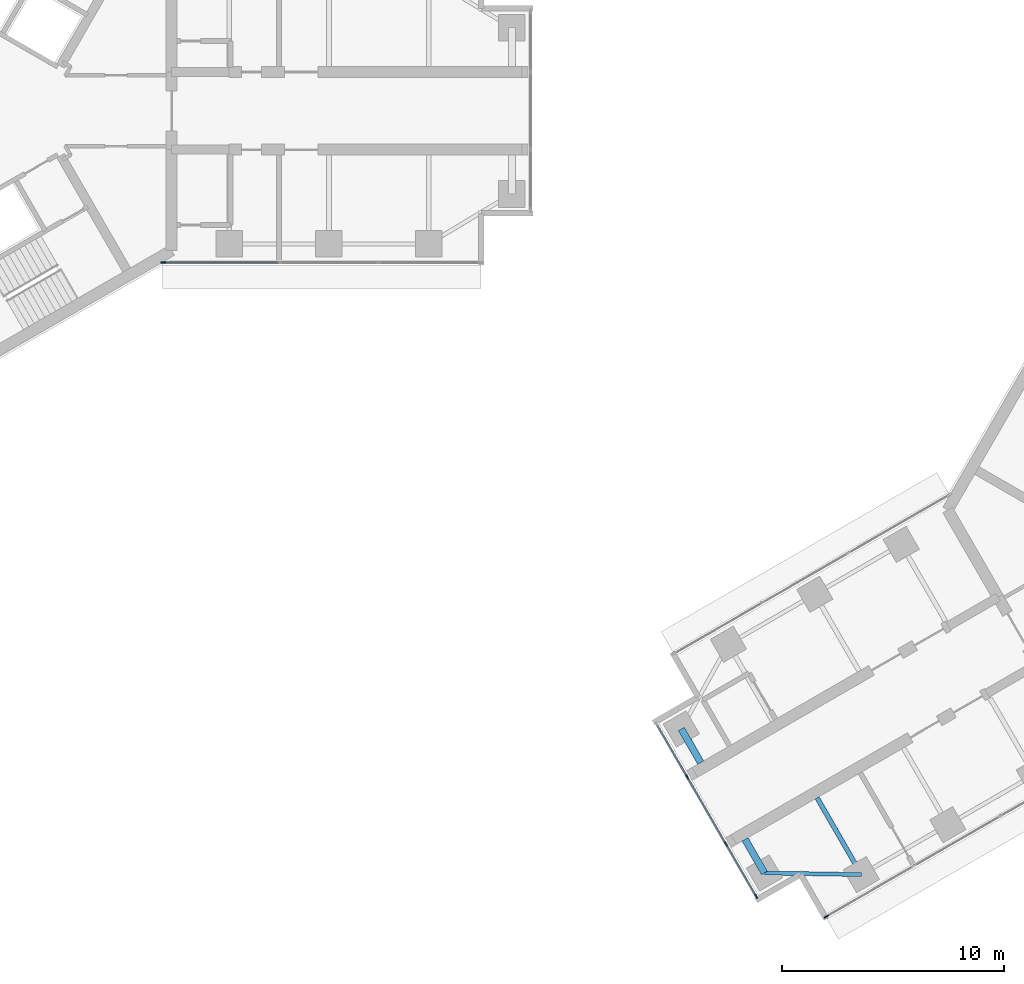
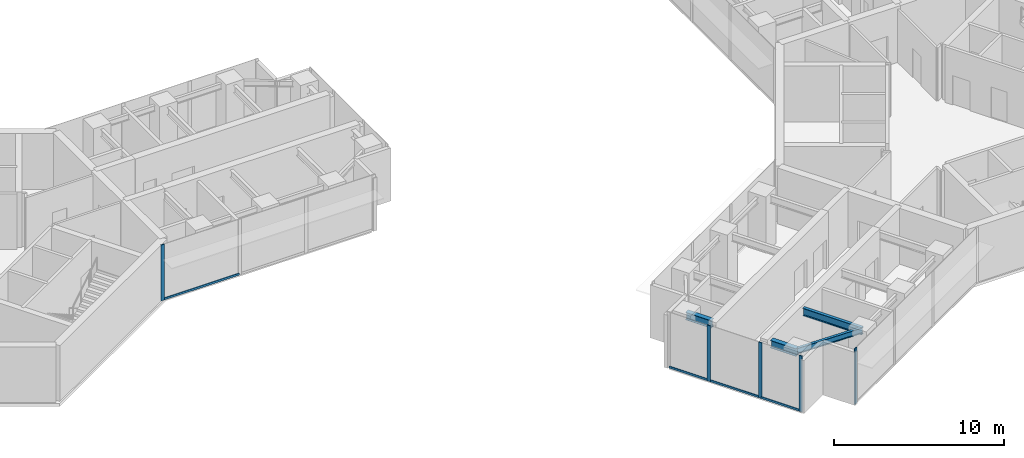
# One storey, part 2 of 17: 9 members, 4 beams, 3 elements without a shape of their own.
"""IFC4 building model written with IfcOpenShell, lengths in metres."""

from ifc_helpers import new_model, si_unit, direction, frame, origin, origin_2d, place, context, subcontext, project, spatial, rectangle, i_section, extrude, material, material_profile, profile_set, type_object, element, aggregate, save


model = new_model("IFC4")

# Units and contexts
model_context = context("Model", 3, precision=1e-05, world=origin(), true_north=direction((0.0, 1.0)))
body_context = subcontext(model_context, "Body", "Model", "MODEL_VIEW")
ifc_project = project(units=[si_unit("LENGTHUNIT", "METRE"), si_unit("AREAUNIT", "SQUARE_METRE"), si_unit("VOLUMEUNIT", "CUBIC_METRE"), si_unit("PLANEANGLEUNIT", "RADIAN"), si_unit("MASSUNIT", "GRAM", prefix="KILO")], contexts=[model_context])

# Site, building, storey
site_placement = place(None, origin())
site = spatial("IfcSite", under=ifc_project, at=site_placement, CompositionType="ELEMENT")
building_placement = place(site_placement, origin())
building = spatial("IfcBuilding", under=site, at=building_placement, Name="Upepo Twin Towers", CompositionType="ELEMENT")
storey_placement = place(building_placement, frame((0.0, 0.0, 182.5)))
storey = spatial("IfcBuildingStorey", under=building, at=storey_placement, Name="L44", CompositionType="ELEMENT", Elevation=182.5)

# Beams
ifc_material_1 = material(Name="Steel S355", Category="steel")
ifc_material_profile_1 = material_profile(ifc_material_1, i_section(OverallWidth=0.177978515625, OverallDepth=0.406494140625, WebThickness=0.0078125, FlangeThickness=0.0126953125, FilletRadius=0.01025390625, at=origin_2d()), Name="UB 406x178x60")
ifc_profile_set_1 = profile_set([ifc_material_profile_1], Name="Steel S355")
beam_type_1 = type_object("IfcBeamType", Name="Beam UB 406x178x60", PredefinedType="BEAM", material=ifc_profile_set_1)
beam_1_placement = place(storey_placement, frame((42.014404296875, -34.446044921875, 3.5966796875), z_axis=(-0.999858804832, 0.016803880528, 0.0), x_axis=(-0.016803880528, -0.999858804832, 0.0)))
element("IfcBeam", 1, at=beam_1_placement, inside=storey, type_object=beam_type_1, Name="T2 nose edge beam BL", PredefinedType="BEAM", context=body_context, shape_type="SweptSolid", body=[
    extrude(i_section(OverallWidth=0.177978515625, OverallDepth=0.406494140625, WebThickness=0.0078125, FlangeThickness=0.0126953125, FilletRadius=0.01025390625, at=origin_2d()), origin(), (0.0, 0.0, 1.0), 4.373291015625),
])
ifc_material_2 = material(Name="Steel S355", Category="steel")
ifc_material_profile_2 = material_profile(ifc_material_2, i_section(OverallWidth=0.209228515625, OverallDepth=0.533203125, WebThickness=0.010009765625, FlangeThickness=0.015625, FilletRadius=0.0126953125, at=origin_2d()), Name="UB 533x210x92")
ifc_profile_set_2 = profile_set([ifc_material_profile_2], Name="Steel S355")
beam_type_2 = type_object("IfcBeamType", Name="Beam UB 533x210x92", PredefinedType="BEAM", material=ifc_profile_set_2)
beam_2_placement = place(storey_placement, frame((42.014404296875, -34.446044921875, 3.533447265625), z_axis=(-0.49999894854, 0.866026010844, 0.0), x_axis=(-0.866026010844, -0.49999894854, 0.0)))
element("IfcBeam", 2, at=beam_2_placement, inside=storey, type_object=beam_type_2, Name="T2 girder BL at 22.5", PredefinedType="BEAM", context=body_context, shape_type="SweptSolid", body=[
    extrude(i_section(OverallWidth=0.209228515625, OverallDepth=0.533203125, WebThickness=0.010009765625, FlangeThickness=0.015625, FilletRadius=0.0126953125, at=origin_2d()), origin(), (0.0, 0.0, 1.0), 4.0),
])
ifc_material_3 = material(Name="Steel S355", Category="steel")
ifc_material_profile_3 = material_profile(ifc_material_3, i_section(OverallWidth=0.31201171875, OverallDepth=0.54345703125, WebThickness=0.0126953125, FlangeThickness=0.020263671875, FilletRadius=0.0126953125, at=origin_2d()), Name="UB 533x312x150")
ifc_profile_set_3 = profile_set([ifc_material_profile_3], Name="Steel S355")
beam_type_3 = type_object("IfcBeamType", Name="Beam UB 533x312x150", PredefinedType="BEAM", material=ifc_profile_set_3)
for number, where, z_axis, x_axis, name in (
    (3, (37.641845703125, -34.37255859375, 3.5283203125), (-0.499980071345, 0.866036909293, 0.0), (-0.866036909293, -0.499980071345, 0.0), "T2 nose beam BL"),
    (4, (33.891845703125, -27.87744140625, 3.5283203125), (0.499980071345, -0.866036909293, 0.0), (0.866036909293, 0.499980071345, 0.0), "T2 nose beam BR"),
):
    element("IfcBeam", number, at=place(storey_placement, frame(where, z_axis=z_axis, x_axis=x_axis)), inside=storey, type_object=beam_type_3, Name=name, PredefinedType="BEAM", context=body_context, shape_type="SweptSolid", body=[
        extrude(i_section(OverallWidth=0.31201171875, OverallDepth=0.54345703125, WebThickness=0.0126953125, FlangeThickness=0.020263671875, FilletRadius=0.0126953125, at=origin_2d()), origin(), (0.0, 0.0, 1.0), 1.75),
    ])

# Curtain wall, member
ifc_material_4 = material(Name="Aluminium and fritted glass", Category="aluminium")
curtain_wall_type = type_object("IfcCurtainWallType", Name="Tower curtain wall TW3, fritted glass", PredefinedType="NOTDEFINED", material=ifc_material_4)
curtain_wall_1_placement = place(storey_placement, origin())
curtain_wall_1 = element("IfcCurtainWall", 5, at=curtain_wall_1_placement, inside=storey, type_object=curtain_wall_type, Name="T1 L44 wing A flank R curtain wall", PredefinedType="NOTDEFINED")
ifc_material_5 = material(Name="Aluminium mullion", Category="aluminium")
ifc_material_profile_4 = material_profile(ifc_material_5, rectangle(XDim=0.06494140625, YDim=0.22509765625, at=origin_2d()), Name="MULLION 65x225")
ifc_profile_set_4 = profile_set([ifc_material_profile_4], Name="Aluminium mullion")
member_type_1 = type_object("IfcMemberType", Name="Mullion 65x225 TW3", PredefinedType="MULLION", material=ifc_profile_set_4)
member_1_placement = place(storey_placement, frame((10.51953125, -6.85009765625, 0.0), z_axis=(0.0, 0.0, 1.0), x_axis=(0.0, -1.0, 0.0)))
member_1 = element("IfcMember", 6, at=member_1_placement, type_object=member_type_1, Name="T1 L44 wing A flank R curtain wall mullion 4", PredefinedType="MULLION", context=body_context, shape_type="SweptSolid", body=[
    extrude(rectangle(XDim=0.06494140625, YDim=0.22509765625, at=origin_2d()), origin(), (0.0, 0.0, 1.0), 4.0),
])

curtain_wall_2_placement = place(storey_placement, origin())
curtain_wall_2 = element("IfcCurtainWall", 7, at=curtain_wall_2_placement, inside=storey, type_object=curtain_wall_type, Name="T2 L44 wing B flank L curtain wall", PredefinedType="NOTDEFINED")
member_2_placement = place(storey_placement, frame((40.432373046875, -36.341064453125, 0.0), z_axis=(0.0, 0.0, 1.0), x_axis=(0.500000026527, -0.866025388469, 0.0)))
member_2 = element("IfcMember", 8, at=member_2_placement, type_object=member_type_1, Name="T2 L44 wing B flank L curtain wall mullion 4", PredefinedType="MULLION", context=body_context, shape_type="SweptSolid", body=[
    extrude(rectangle(XDim=0.06494140625, YDim=0.22509765625, at=origin_2d()), origin(), (0.0, 0.0, 1.0), 4.0),
])
aggregate(curtain_wall_2, [member_2])

# Curtain wall, members
curtain_wall_3_placement = place(storey_placement, origin())
curtain_wall_3 = element("IfcCurtainWall", 9, at=curtain_wall_3_placement, inside=storey, type_object=curtain_wall_type, Name="T2 L44 wing B nose curtain wall", PredefinedType="NOTDEFINED")
member_3_placement = place(storey_placement, frame((34.15576171875, -30.034423828125, 0.0), z_axis=(0.0, 0.0, 1.0), x_axis=(0.866025386174, 0.500000030502, 0.0)))
member_3 = element("IfcMember", 10, at=member_3_placement, type_object=member_type_1, Name="T2 L44 wing B nose curtain wall mullion 2", PredefinedType="MULLION", context=body_context, shape_type="SweptSolid", body=[
    extrude(rectangle(XDim=0.06494140625, YDim=0.22509765625, at=origin_2d()), origin(), (0.0, 0.0, 1.0), 4.0),
])
member_4_placement = place(storey_placement, frame((35.90576171875, -33.0654296875, 0.0), z_axis=(0.0, 0.0, 1.0), x_axis=(0.866025386174, 0.500000030502, 0.0)))
member_4 = element("IfcMember", 11, at=member_4_placement, type_object=member_type_1, Name="T2 L44 wing B nose curtain wall mullion 3", PredefinedType="MULLION", context=body_context, shape_type="SweptSolid", body=[
    extrude(rectangle(XDim=0.06494140625, YDim=0.22509765625, at=origin_2d()), origin(), (0.0, 0.0, 1.0), 4.0),
])
member_5_placement = place(storey_placement, frame((37.264404296875, -35.4189453125, 0.0), z_axis=(0.0, 0.0, 1.0), x_axis=(0.866025386174, 0.500000030502, 0.0)))
member_5 = element("IfcMember", 12, at=member_5_placement, type_object=member_type_1, Name="T2 L44 wing B nose curtain wall mullion 4", PredefinedType="MULLION", context=body_context, shape_type="SweptSolid", body=[
    extrude(rectangle(XDim=0.06494140625, YDim=0.22509765625, at=origin_2d()), origin(), (0.0, 0.0, 1.0), 4.0),
])

# Member
ifc_material_6 = material(Name="Aluminium transom", Category="aluminium")
ifc_material_profile_5 = material_profile(ifc_material_6, rectangle(XDim=0.06494140625, YDim=0.14990234375, at=origin_2d()), Name="TRANSOM 65x150")
ifc_profile_set_5 = profile_set([ifc_material_profile_5], Name="Aluminium transom")
member_type_2 = type_object("IfcMemberType", Name="Transom 65x150 TW3", PredefinedType="USERDEFINED", material=ifc_profile_set_5)
member_6_placement = place(storey_placement, frame((15.717529296875, -6.85009765625, 0.074951171875), z_axis=(-1.0, 0.0, 0.0), x_axis=(0.0, -1.0, 0.0)))
member_6 = element("IfcMember", 13, at=member_6_placement, type_object=member_type_2, Name="T1 L44 wing A flank R curtain wall transom 3", ObjectType="TRANSOM", PredefinedType="USERDEFINED", context=body_context, shape_type="SweptSolid", body=[
    extrude(rectangle(XDim=0.06494140625, YDim=0.14990234375, at=origin_2d()), origin(), (0.0, 0.0, 1.0), 5.16552734375),
])

aggregate(curtain_wall_1, [member_1, member_6])

member_7_placement = place(storey_placement, frame((32.813232421875, -27.709228515625, 0.074951171875), z_axis=(0.499980071345, -0.866036909293, 0.0), x_axis=(0.866036909293, 0.499980071345, 0.0)))
member_7 = element("IfcMember", 14, at=member_7_placement, type_object=member_type_2, Name="T2 L44 wing B nose curtain wall transom 1", ObjectType="TRANSOM", PredefinedType="USERDEFINED", context=body_context, shape_type="SweptSolid", body=[
    extrude(rectangle(XDim=0.06494140625, YDim=0.14990234375, at=origin_2d()), origin(), (0.0, 0.0, 1.0), 2.65234375),
])

member_8_placement = place(storey_placement, frame((34.171875, -30.0625, 0.074951171875), z_axis=(0.499999305434, -0.866025804792, 0.0), x_axis=(0.866025804792, 0.499999305434, 0.0)))
member_8 = element("IfcMember", 15, at=member_8_placement, type_object=member_type_2, Name="T2 L44 wing B nose curtain wall transom 2", ObjectType="TRANSOM", PredefinedType="USERDEFINED", context=body_context, shape_type="SweptSolid", body=[
    extrude(rectangle(XDim=0.06494140625, YDim=0.14990234375, at=origin_2d()), origin(), (0.0, 0.0, 1.0), 3.43505859375),
])

member_9_placement = place(storey_placement, frame((35.921875, -33.09375, 0.074951171875), z_axis=(0.500049101008, -0.865997053448, 0.0), x_axis=(0.865997053448, 0.500049101008, 0.0)))
member_9 = element("IfcMember", 16, at=member_9_placement, type_object=member_type_2, Name="T2 L44 wing B nose curtain wall transom 3", ObjectType="TRANSOM", PredefinedType="USERDEFINED", context=body_context, shape_type="SweptSolid", body=[
    extrude(rectangle(XDim=0.06494140625, YDim=0.14990234375, at=origin_2d()), origin(), (0.0, 0.0, 1.0), 2.652587890625),
])

aggregate(curtain_wall_3, [member_3, member_4, member_5, member_7, member_8, member_9])

save(model, "model.ifc")
